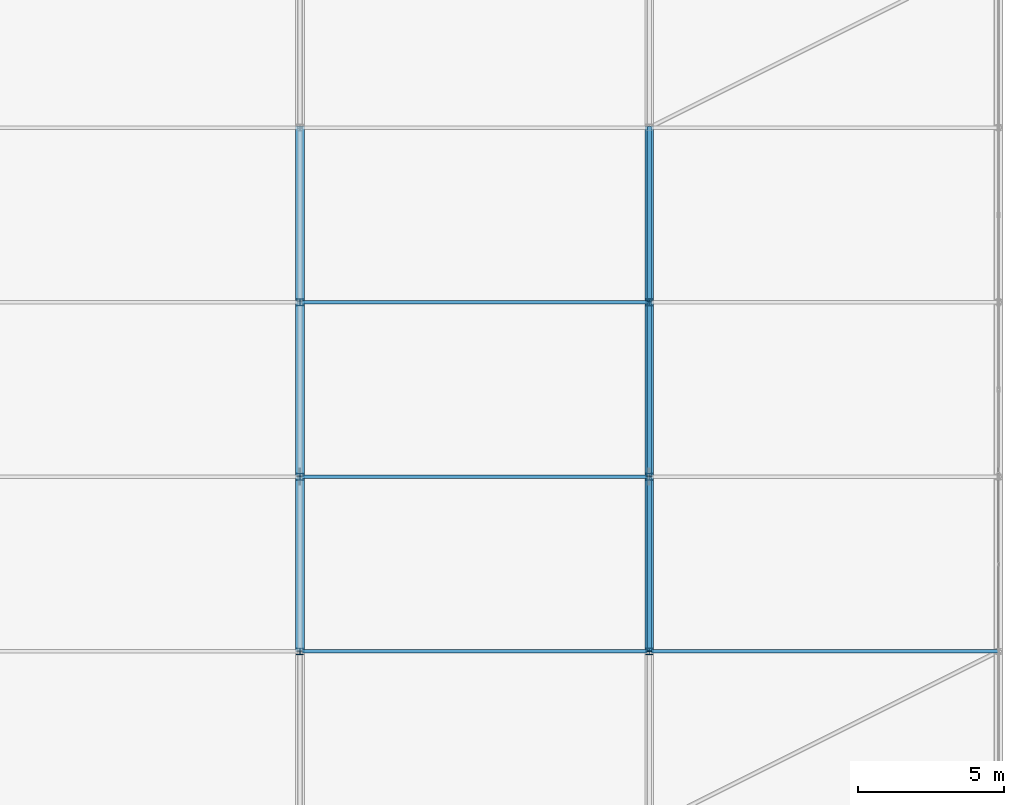
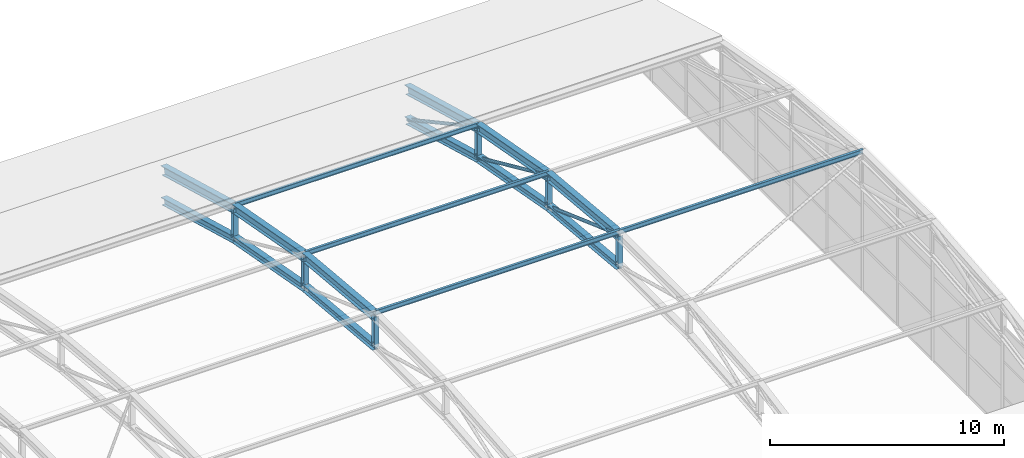
# One storey, part 112 of 204: 25 members.
"""IFC4 building model written with IfcOpenShell, lengths in metres."""

from ifc_helpers import new_model, si_unit, direction, frame, origin, origin_2d, place, context, subcontext, project, spatial, hollow_circle, i_section, extrude, material, material_profile, profile_set, type_object, element, save


model = new_model("IFC4")

# Units and contexts
model_context = context("Model", 3, precision=1e-05, world=origin(), true_north=direction((0.0, 1.0)))
body_context = subcontext(model_context, "Body", "Model", "MODEL_VIEW")
ifc_project = project(units=[si_unit("LENGTHUNIT", "METRE"), si_unit("AREAUNIT", "SQUARE_METRE"), si_unit("VOLUMEUNIT", "CUBIC_METRE"), si_unit("PLANEANGLEUNIT", "RADIAN"), si_unit("MASSUNIT", "GRAM", prefix="KILO")], contexts=[model_context])

# Site, building, storey
site_placement = place(None, origin())
site = spatial("IfcSite", under=ifc_project, at=site_placement, CompositionType="ELEMENT")
building_placement = place(site_placement, origin())
building = spatial("IfcBuilding", under=site, at=building_placement, Name="Zilviju Railside Exhibition Hall", CompositionType="ELEMENT")
storey_placement = place(building_placement, frame((0.0, 0.0, 21.0)))
storey = spatial("IfcBuildingStorey", under=building, at=storey_placement, Name="RF", CompositionType="ELEMENT", Elevation=21.0)

# Members
ifc_material = material(Name="Steel S355J2", Category="steel")
ifc_material_profile_1 = material_profile(ifc_material, hollow_circle(Radius=0.084228515625, WallThickness=0.008056640625, at=origin_2d()), Name="CHS 168.3x8.0")
ifc_profile_set_1 = profile_set([ifc_material_profile_1], Name="Steel S355J2")
member_type_1 = type_object("IfcMemberType", Name="TR-BR-CHS168", PredefinedType="BRACE", material=ifc_profile_set_1)
member_1_placement = place(storey_placement, frame((204.0, 30.0, -0.669189453125), z_axis=(0.0, 0.94123307508, -0.337757751023), x_axis=(-1.0, 0.0, 0.0)))
element("IfcMember", 1, at=member_1_placement, inside=storey, type_object=member_type_1, Name="V1 Parabolic Arch Web Diagonal X=204.0 P6", PredefinedType="BRACE", context=body_context, shape_type="SweptSolid", body=[
    extrude(hollow_circle(Radius=0.084228515625, WallThickness=0.008056640625, at=origin_2d()), origin(), (0.0, 0.0, 1.0), 6.37451171875),
])
member_2_placement = place(storey_placement, frame((204.0, 36.0, -1.22216796875), z_axis=(0.0, 0.911563042822, -0.411160332425), x_axis=(-1.0, 0.0, 0.0)))
element("IfcMember", 2, at=member_2_placement, inside=storey, type_object=member_type_1, Name="V1 Parabolic Arch Web Diagonal X=204.0 P7", PredefinedType="BRACE", context=body_context, shape_type="SweptSolid", body=[
    extrude(hollow_circle(Radius=0.084228515625, WallThickness=0.008056640625, at=origin_2d()), origin(), (0.0, 0.0, 1.0), 6.58203125),
])
member_3_placement = place(storey_placement, frame((204.0, 42.0, -2.328369140625), z_axis=(0.0, 0.87872232578, -0.477333294644), x_axis=(-1.0, 0.0, 0.0)))
element("IfcMember", 3, at=member_3_placement, inside=storey, type_object=member_type_1, Name="V1 Parabolic Arch Web Diagonal X=204.0 P8", PredefinedType="BRACE", context=body_context, shape_type="SweptSolid", body=[
    extrude(hollow_circle(Radius=0.084228515625, WallThickness=0.008056640625, at=origin_2d()), origin(), (0.0, 0.0, 1.0), 6.828125),
])
ifc_material_profile_2 = material_profile(ifc_material, i_section(OverallWidth=0.300048828125, OverallDepth=0.360107421875, WebThickness=0.012451171875, FlangeThickness=0.0224609375, at=origin_2d()), Name="HEB 360")
ifc_profile_set_2 = profile_set([ifc_material_profile_2], Name="Steel S355J2")
member_type_2 = type_object("IfcMemberType", Name="TR-CH-HEB360", PredefinedType="CHORD", material=ifc_profile_set_2)
member_4_placement = place(storey_placement, frame((192.0, 30.0, -2.26904296875), z_axis=(0.0, 0.995776144786, -0.091814320641), x_axis=(-1.0, 0.0, 0.0)))
element("IfcMember", 4, at=member_4_placement, inside=storey, type_object=member_type_2, Name="V1 Parabolic Arch Bottom Chord X=192.0 P6", PredefinedType="CHORD", context=body_context, shape_type="SweptSolid", body=[
    extrude(i_section(OverallWidth=0.300048828125, OverallDepth=0.360107421875, WebThickness=0.012451171875, FlangeThickness=0.0224609375, at=origin_2d()), origin(), (0.0, 0.0, 1.0), 6.025390625),
])
member_5_placement = place(storey_placement, frame((192.0, 36.0, -2.822265625), z_axis=(0.0, 0.98342578549, -0.18131112606), x_axis=(-1.0, 0.0, 0.0)))
element("IfcMember", 5, at=member_5_placement, inside=storey, type_object=member_type_2, Name="V1 Parabolic Arch Bottom Chord X=192.0 P7", PredefinedType="CHORD", context=body_context, shape_type="SweptSolid", body=[
    extrude(i_section(OverallWidth=0.300048828125, OverallDepth=0.360107421875, WebThickness=0.012451171875, FlangeThickness=0.0224609375, at=origin_2d()), origin(), (0.0, 0.0, 1.0), 6.10107421875),
])
member_6_placement = place(storey_placement, frame((192.0, 42.0, -3.928466796875), z_axis=(0.0, 0.963827412659, -0.266527144223), x_axis=(-1.0, 0.0, 0.0)))
element("IfcMember", 6, at=member_6_placement, inside=storey, type_object=member_type_2, Name="V1 Parabolic Arch Bottom Chord X=192.0 P8", PredefinedType="CHORD", context=body_context, shape_type="SweptSolid", body=[
    extrude(i_section(OverallWidth=0.300048828125, OverallDepth=0.360107421875, WebThickness=0.012451171875, FlangeThickness=0.0224609375, at=origin_2d()), origin(), (0.0, 0.0, 1.0), 6.22509765625),
])
member_7_placement = place(storey_placement, frame((204.0, 30.0, -2.26904296875), z_axis=(0.0, 0.995776144786, -0.091814320641), x_axis=(-1.0, 0.0, 0.0)))
element("IfcMember", 7, at=member_7_placement, inside=storey, type_object=member_type_2, Name="V1 Parabolic Arch Bottom Chord X=204.0 P6", PredefinedType="CHORD", context=body_context, shape_type="SweptSolid", body=[
    extrude(i_section(OverallWidth=0.300048828125, OverallDepth=0.360107421875, WebThickness=0.012451171875, FlangeThickness=0.0224609375, at=origin_2d()), origin(), (0.0, 0.0, 1.0), 6.025390625),
])
member_8_placement = place(storey_placement, frame((204.0, 36.0, -2.822265625), z_axis=(0.0, 0.98342578549, -0.18131112606), x_axis=(-1.0, 0.0, 0.0)))
element("IfcMember", 8, at=member_8_placement, inside=storey, type_object=member_type_2, Name="V1 Parabolic Arch Bottom Chord X=204.0 P7", PredefinedType="CHORD", context=body_context, shape_type="SweptSolid", body=[
    extrude(i_section(OverallWidth=0.300048828125, OverallDepth=0.360107421875, WebThickness=0.012451171875, FlangeThickness=0.0224609375, at=origin_2d()), origin(), (0.0, 0.0, 1.0), 6.10107421875),
])
member_9_placement = place(storey_placement, frame((204.0, 42.0, -3.928466796875), z_axis=(0.0, 0.963827412659, -0.266527144223), x_axis=(-1.0, 0.0, 0.0)))
element("IfcMember", 9, at=member_9_placement, inside=storey, type_object=member_type_2, Name="V1 Parabolic Arch Bottom Chord X=204.0 P8", PredefinedType="CHORD", context=body_context, shape_type="SweptSolid", body=[
    extrude(i_section(OverallWidth=0.300048828125, OverallDepth=0.360107421875, WebThickness=0.012451171875, FlangeThickness=0.0224609375, at=origin_2d()), origin(), (0.0, 0.0, 1.0), 6.22509765625),
])
ifc_material_profile_3 = material_profile(ifc_material, i_section(OverallWidth=0.300048828125, OverallDepth=0.449951171875, WebThickness=0.013916015625, FlangeThickness=0.02587890625, at=origin_2d()), Name="HEB 450")
ifc_profile_set_3 = profile_set([ifc_material_profile_3], Name="Steel S355J2")
member_type_3 = type_object("IfcMemberType", Name="TR-CH-HEB450", PredefinedType="CHORD", material=ifc_profile_set_3)
member_10_placement = place(storey_placement, frame((192.0, 30.0, -0.669189453125), z_axis=(0.0, 0.99577984843, -0.091774143746), x_axis=(-1.0, 0.0, 0.0)))
element("IfcMember", 10, at=member_10_placement, inside=storey, type_object=member_type_3, Name="V1 Parabolic Arch Top Chord X=192.0 P6", PredefinedType="CHORD", context=body_context, shape_type="SweptSolid", body=[
    extrude(i_section(OverallWidth=0.300048828125, OverallDepth=0.449951171875, WebThickness=0.013916015625, FlangeThickness=0.02587890625, at=origin_2d()), origin(), (0.0, 0.0, 1.0), 6.025390625),
])
member_11_placement = place(storey_placement, frame((192.0, 36.0, -1.22216796875), z_axis=(0.0, 0.98342578549, -0.18131112606), x_axis=(-1.0, 0.0, 0.0)))
element("IfcMember", 11, at=member_11_placement, inside=storey, type_object=member_type_3, Name="V1 Parabolic Arch Top Chord X=192.0 P7", PredefinedType="CHORD", context=body_context, shape_type="SweptSolid", body=[
    extrude(i_section(OverallWidth=0.300048828125, OverallDepth=0.449951171875, WebThickness=0.013916015625, FlangeThickness=0.02587890625, at=origin_2d()), origin(), (0.0, 0.0, 1.0), 6.10107421875),
])
member_12_placement = place(storey_placement, frame((192.0, 42.0, -2.328369140625), z_axis=(0.0, 0.963827412659, -0.266527144223), x_axis=(-1.0, 0.0, 0.0)))
element("IfcMember", 12, at=member_12_placement, inside=storey, type_object=member_type_3, Name="V1 Parabolic Arch Top Chord X=192.0 P8", PredefinedType="CHORD", context=body_context, shape_type="SweptSolid", body=[
    extrude(i_section(OverallWidth=0.300048828125, OverallDepth=0.449951171875, WebThickness=0.013916015625, FlangeThickness=0.02587890625, at=origin_2d()), origin(), (0.0, 0.0, 1.0), 6.22509765625),
])
member_13_placement = place(storey_placement, frame((204.0, 30.0, -0.669189453125), z_axis=(0.0, 0.99577984843, -0.091774143746), x_axis=(-1.0, 0.0, 0.0)))
element("IfcMember", 13, at=member_13_placement, inside=storey, type_object=member_type_3, Name="V1 Parabolic Arch Top Chord X=204.0 P6", PredefinedType="CHORD", context=body_context, shape_type="SweptSolid", body=[
    extrude(i_section(OverallWidth=0.300048828125, OverallDepth=0.449951171875, WebThickness=0.013916015625, FlangeThickness=0.02587890625, at=origin_2d()), origin(), (0.0, 0.0, 1.0), 6.025390625),
])
member_14_placement = place(storey_placement, frame((204.0, 36.0, -1.22216796875), z_axis=(0.0, 0.98342578549, -0.18131112606), x_axis=(-1.0, 0.0, 0.0)))
element("IfcMember", 14, at=member_14_placement, inside=storey, type_object=member_type_3, Name="V1 Parabolic Arch Top Chord X=204.0 P7", PredefinedType="CHORD", context=body_context, shape_type="SweptSolid", body=[
    extrude(i_section(OverallWidth=0.300048828125, OverallDepth=0.449951171875, WebThickness=0.013916015625, FlangeThickness=0.02587890625, at=origin_2d()), origin(), (0.0, 0.0, 1.0), 6.10107421875),
])
member_15_placement = place(storey_placement, frame((204.0, 42.0, -2.328369140625), z_axis=(0.0, 0.963827412659, -0.266527144223), x_axis=(-1.0, 0.0, 0.0)))
element("IfcMember", 15, at=member_15_placement, inside=storey, type_object=member_type_3, Name="V1 Parabolic Arch Top Chord X=204.0 P8", PredefinedType="CHORD", context=body_context, shape_type="SweptSolid", body=[
    extrude(i_section(OverallWidth=0.300048828125, OverallDepth=0.449951171875, WebThickness=0.013916015625, FlangeThickness=0.02587890625, at=origin_2d()), origin(), (0.0, 0.0, 1.0), 6.22509765625),
])
ifc_material_profile_4 = material_profile(ifc_material, i_section(OverallWidth=0.239990234375, OverallDepth=0.22998046875, WebThickness=0.007568359375, FlangeThickness=0.011962890625, at=origin_2d()), Name="HEA 240")
ifc_profile_set_4 = profile_set([ifc_material_profile_4], Name="Steel S355J2")
member_type_4 = type_object("IfcMemberType", Name="TR-POST-HEA240", PredefinedType="POST", material=ifc_profile_set_4)
member_16_placement = place(storey_placement, frame((192.0, 30.0, -2.26904296875), z_axis=(0.0, 0.0, 1.0), x_axis=(1.0, 0.0, 0.0)))
element("IfcMember", 16, at=member_16_placement, inside=storey, type_object=member_type_4, Name="V1 Parabolic Arch Web Post X=192.0 N5", PredefinedType="POST", context=body_context, shape_type="SweptSolid", body=[
    extrude(i_section(OverallWidth=0.239990234375, OverallDepth=0.22998046875, WebThickness=0.007568359375, FlangeThickness=0.011962890625, at=origin_2d()), origin(), (0.0, 0.0, 1.0), 1.599853515625),
])
for number, where, z_axis, x_axis, name in (
    (17, (192.0, 36.0, -2.822265625), (0.0, 0.0, 1.0), (1.0, 0.0, 0.0), "V1 Parabolic Arch Web Post X=192.0 N6"),
    (18, (192.0, 42.0, -3.928466796875), (0.0, 0.0, 1.0), (1.0, 0.0, 0.0), "V1 Parabolic Arch Web Post X=192.0 N7"),
):
    element("IfcMember", number, at=place(storey_placement, frame(where, z_axis=z_axis, x_axis=x_axis)), inside=storey, type_object=member_type_4, Name=name, PredefinedType="POST", context=body_context, shape_type="SweptSolid", body=[
        extrude(i_section(OverallWidth=0.239990234375, OverallDepth=0.22998046875, WebThickness=0.007568359375, FlangeThickness=0.011962890625, at=origin_2d()), origin(), (0.0, 0.0, 1.0), 1.60009765625),
    ])
member_17_placement = place(storey_placement, frame((204.0, 30.0, -2.26904296875), z_axis=(0.0, 0.0, 1.0), x_axis=(1.0, 0.0, 0.0)))
element("IfcMember", 19, at=member_17_placement, inside=storey, type_object=member_type_4, Name="V1 Parabolic Arch Web Post X=204.0 N5", PredefinedType="POST", context=body_context, shape_type="SweptSolid", body=[
    extrude(i_section(OverallWidth=0.239990234375, OverallDepth=0.22998046875, WebThickness=0.007568359375, FlangeThickness=0.011962890625, at=origin_2d()), origin(), (0.0, 0.0, 1.0), 1.599853515625),
])
for number, where, z_axis, x_axis, name in (
    (20, (204.0, 36.0, -2.822265625), (0.0, 0.0, 1.0), (1.0, 0.0, 0.0), "V1 Parabolic Arch Web Post X=204.0 N6"),
    (21, (204.0, 42.0, -3.928466796875), (0.0, 0.0, 1.0), (1.0, 0.0, 0.0), "V1 Parabolic Arch Web Post X=204.0 N7"),
):
    element("IfcMember", number, at=place(storey_placement, frame(where, z_axis=z_axis, x_axis=x_axis)), inside=storey, type_object=member_type_4, Name=name, PredefinedType="POST", context=body_context, shape_type="SweptSolid", body=[
        extrude(i_section(OverallWidth=0.239990234375, OverallDepth=0.22998046875, WebThickness=0.007568359375, FlangeThickness=0.011962890625, at=origin_2d()), origin(), (0.0, 0.0, 1.0), 1.60009765625),
    ])
ifc_material_profile_5 = material_profile(ifc_material, i_section(OverallWidth=0.1201171875, OverallDepth=0.239990234375, WebThickness=0.006103515625, FlangeThickness=0.009765625, at=origin_2d()), Name="IPE 240")
ifc_profile_set_5 = profile_set([ifc_material_profile_5], Name="Steel S355J2")
member_type_5 = type_object("IfcMemberType", Name="TR-PUR-IPE240", PredefinedType="PURLIN", material=ifc_profile_set_5)
for number, where, z_axis, x_axis, name in (
    (22, (192.0, 30.0, -0.515625), (1.0, 0.0, 0.0), (0.0, 1.0, 0.0), "V1 Barrel Vault Roof Purlin Y=30.0 (192.0..204.0)"),
    (23, (192.0, 36.0, -1.0771484375), (1.0, 0.0, 0.0), (0.0, 1.0, 0.0), "V1 Barrel Vault Roof Purlin Y=36.0 (192.0..204.0)"),
    (24, (192.0, 42.0, -2.193603515625), (1.0, 0.0, 0.0), (0.0, 1.0, 0.0), "V1 Barrel Vault Roof Purlin Y=42.0 (192.0..204.0)"),
    (25, (204.0, 30.0, -0.515625), (1.0, 0.0, 0.0), (0.0, 1.0, 0.0), "V1 Barrel Vault Roof Purlin Y=30.0 (204.0..216.0)"),
):
    element("IfcMember", number, at=place(storey_placement, frame(where, z_axis=z_axis, x_axis=x_axis)), inside=storey, type_object=member_type_5, Name=name, PredefinedType="PURLIN", context=body_context, shape_type="SweptSolid", body=[
        extrude(i_section(OverallWidth=0.1201171875, OverallDepth=0.239990234375, WebThickness=0.006103515625, FlangeThickness=0.009765625, at=origin_2d()), origin(), (0.0, 0.0, 1.0), 12.0),
    ])

save(model, "model.ifc")
